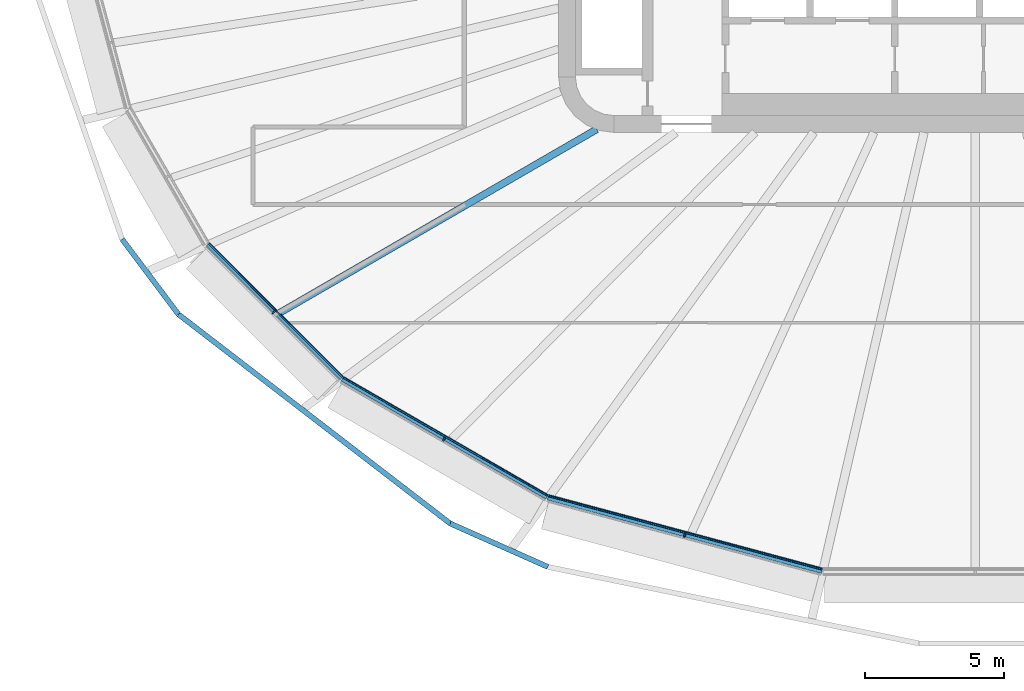
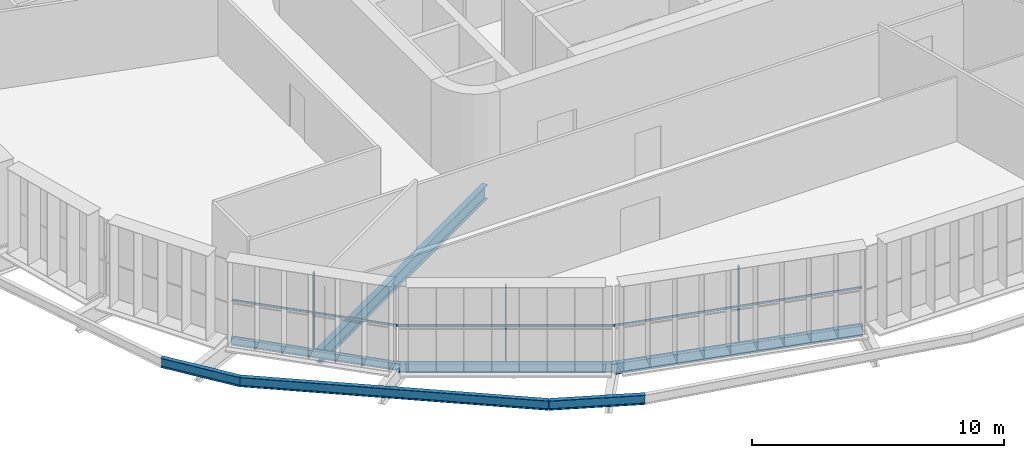
# One storey, part 1 of 24: 7 beams, 6 members, 3 elements without a shape of their own.
"""IFC4 building model written with IfcOpenShell, lengths in metres."""

from ifc_helpers import new_model, si_unit, direction, frame, origin, origin_2d, place, context, subcontext, project, spatial, rectangle, i_section, extrude, material, layer, layer_set, material_profile, profile_set, type_object, element, aggregate, save


model = new_model("IFC4")

# Units and contexts
model_context = context("Model", 3, precision=1e-05, world=origin(), true_north=direction((0.0, 1.0)))
body_context = subcontext(model_context, "Body", "Model", "MODEL_VIEW")
ifc_project = project(units=[si_unit("LENGTHUNIT", "METRE"), si_unit("AREAUNIT", "SQUARE_METRE"), si_unit("VOLUMEUNIT", "CUBIC_METRE"), si_unit("PLANEANGLEUNIT", "RADIAN"), si_unit("MASSUNIT", "GRAM", prefix="KILO")], contexts=[model_context])

# Site, building, storey
site_placement = place(None, origin())
site = spatial("IfcSite", under=ifc_project, at=site_placement, CompositionType="ELEMENT")
building_placement = place(site_placement, origin())
building = spatial("IfcBuilding", under=site, at=building_placement, Name="Sahrelin Media Tower", CompositionType="ELEMENT")
storey_placement = place(building_placement, frame((0.0, 0.0, 118.800048828125)))
storey = spatial("IfcBuildingStorey", under=building, at=storey_placement, Name="L23", CompositionType="ELEMENT", Elevation=118.800048828125)

# Beams
ifc_material_1 = material(Name="Steel S355", Category="steel")
ifc_material_profile_1 = material_profile(ifc_material_1, i_section(OverallWidth=0.17138671875, OverallDepth=0.35498046875, WebThickness=0.00732421875, FlangeThickness=0.011474609375, FilletRadius=0.01025390625, at=origin_2d()), Name="UB 356x171x51")
ifc_profile_set_1 = profile_set([ifc_material_profile_1], Name="Steel S355")
beam_type_1 = type_object("IfcBeamType", Name="Edge beam EB3", PredefinedType="BEAM", material=ifc_profile_set_1)
beam_1_placement = place(storey_placement, frame((-22.80517578125, -16.845458984375, -0.32763671875), z_axis=(-0.707106781187, 0.707106781187, 0.0), x_axis=(-0.707106781187, -0.707106781187, 0.0)))
element("IfcBeam", 1, at=beam_1_placement, inside=storey, type_object=beam_type_1, Name="Edge beam L23-10", PredefinedType="BEAM", context=body_context, shape_type="SweptSolid", body=[
    extrude(i_section(OverallWidth=0.17138671875, OverallDepth=0.35498046875, WebThickness=0.00732421875, FlangeThickness=0.011474609375, FilletRadius=0.01025390625, at=origin_2d()), origin(), (0.0, 0.0, 1.0), 6.819091796875),
])
ifc_material_profile_2 = material_profile(ifc_material_1, i_section(OverallWidth=0.1904296875, OverallDepth=0.45703125, WebThickness=0.009033203125, FlangeThickness=0.014404296875, FilletRadius=0.01025390625, at=origin_2d()), Name="UB 457x191x74")
ifc_profile_set_2 = profile_set([ifc_material_profile_2], Name="Steel S355")
beam_type_2 = type_object("IfcBeamType", Name="Edge beam EB5", PredefinedType="BEAM", material=ifc_profile_set_2)
beam_2_placement = place(storey_placement, frame((-15.40869140625, -21.120361328125, -0.378662109375), z_axis=(-0.866002219952, 0.500040153425, 0.0), x_axis=(-0.500040153425, -0.866002219952, 0.0)))
element("IfcBeam", 2, at=beam_2_placement, inside=storey, type_object=beam_type_2, Name="Edge beam L23-09", PredefinedType="BEAM", context=body_context, shape_type="SweptSolid", body=[
    extrude(i_section(OverallWidth=0.1904296875, OverallDepth=0.45703125, WebThickness=0.009033203125, FlangeThickness=0.014404296875, FilletRadius=0.01025390625, at=origin_2d()), origin(), (0.0, 0.0, 1.0), 8.514404296875),
])
ifc_material_profile_3 = material_profile(ifc_material_1, i_section(OverallWidth=0.208740234375, OverallDepth=0.5283203125, WebThickness=0.009521484375, FlangeThickness=0.01318359375, FilletRadius=0.0126953125, at=origin_2d()), Name="UB 533x210x82")
ifc_profile_set_3 = profile_set([ifc_material_profile_3], Name="Steel S355")
beam_type_3 = type_object("IfcBeamType", Name="Edge beam EB6", PredefinedType="BEAM", material=ifc_profile_set_3)
beam_3_placement = place(storey_placement, frame((-5.5146484375, -23.775146484375, -0.414306640625), z_axis=(-0.965930023505, 0.258803380373, 0.0), x_axis=(-0.258803380373, -0.965930023505, 0.0)))
element("IfcBeam", 3, at=beam_3_placement, inside=storey, type_object=beam_type_3, Name="Edge beam L23-08", PredefinedType="BEAM", context=body_context, shape_type="SweptSolid", body=[
    extrude(i_section(OverallWidth=0.208740234375, OverallDepth=0.5283203125, WebThickness=0.009521484375, FlangeThickness=0.01318359375, FilletRadius=0.0126953125, at=origin_2d()), origin(), (0.0, 0.0, 1.0), 10.215576171875),
])

# Curtain wall, member
ifc_material_2 = material(Name="Champagne anodised aluminium 6063-T6", Category="aluminium")
ifc_layer = layer(ifc_material_2, 0.14990234375)
ifc_layer_set = layer_set([ifc_layer], Name="Tower ribbon curtain wall")
curtain_wall_type = type_object("IfcCurtainWallType", Name="Tower ribbon curtain wall", PredefinedType="NOTDEFINED", material=ifc_layer_set)
curtain_wall_1_placement = place(storey_placement, frame((-25.322021484375, -14.54052734375, 0.0), z_axis=(0.0, 0.0, 1.0), x_axis=(1.0, 0.0, 0.0)))
curtain_wall_1 = element("IfcCurtainWall", 4, at=curtain_wall_1_placement, inside=storey, type_object=curtain_wall_type, Name="L23:CW:L23-15", PredefinedType="NOTDEFINED")
ifc_material_profile_4 = material_profile(ifc_material_2, rectangle(XDim=0.06005859375, YDim=0.14990234375, at=origin_2d()), Name="Mullion 60x150")
ifc_profile_set_4 = profile_set([ifc_material_profile_4], Name="Champagne anodised aluminium 6063-T6")
member_type_1 = type_object("IfcMemberType", Name="Mullion 60x150 CW1", PredefinedType="MULLION", material=ifc_profile_set_4)
member_1_placement = place(storey_placement, frame((-25.2548828125, -14.473388671875, 0.0), z_axis=(0.0, 0.0, 1.0), x_axis=(0.707106781187, -0.707106781187, 0.0)))
member_1 = element("IfcMember", 5, at=member_1_placement, type_object=member_type_1, Name="L23:CWM:L23-15", PredefinedType="MULLION", context=body_context, shape_type="SweptSolid", body=[
    extrude(rectangle(XDim=0.06005859375, YDim=0.14990234375, at=origin_2d()), origin(), (0.0, 0.0, 1.0), 3.6484375),
])

curtain_wall_2_placement = place(storey_placement, frame((-19.17041015625, -19.12158203125, 0.0), z_axis=(0.0, 0.0, 1.0), x_axis=(1.0, 0.0, 0.0)))
curtain_wall_2 = element("IfcCurtainWall", 6, at=curtain_wall_2_placement, inside=storey, type_object=curtain_wall_type, Name="L23:CW:L23-16", PredefinedType="NOTDEFINED")
member_2_placement = place(storey_placement, frame((-19.122802734375, -19.039306640625, 0.0), z_axis=(0.0, 0.0, 1.0), x_axis=(0.866020167749, -0.500009068969, 0.0)))
member_2 = element("IfcMember", 7, at=member_2_placement, type_object=member_type_1, Name="L23:CWM:L23-16", PredefinedType="MULLION", context=body_context, shape_type="SweptSolid", body=[
    extrude(rectangle(XDim=0.06005859375, YDim=0.14990234375, at=origin_2d()), origin(), (0.0, 0.0, 1.0), 3.6484375),
])

curtain_wall_3_placement = place(storey_placement, frame((-10.487060546875, -22.59814453125, 0.0), z_axis=(0.0, 0.0, 1.0), x_axis=(1.0, 0.0, 0.0)))
curtain_wall_3 = element("IfcCurtainWall", 8, at=curtain_wall_3_placement, inside=storey, type_object=curtain_wall_type, Name="L23:CW:L23-17", PredefinedType="NOTDEFINED")
member_3_placement = place(storey_placement, frame((-10.46240234375, -22.50634765625, 0.0), z_axis=(0.0, 0.0, 1.0), x_axis=(0.965925826289, -0.258819045103, 0.0)))
member_3 = element("IfcMember", 9, at=member_3_placement, type_object=member_type_1, Name="L23:CWM:L23-17", PredefinedType="MULLION", context=body_context, shape_type="SweptSolid", body=[
    extrude(rectangle(XDim=0.06005859375, YDim=0.14990234375, at=origin_2d()), origin(), (0.0, 0.0, 1.0), 3.6484375),
])

# Beams
ifc_material_profile_5 = material_profile(ifc_material_1, i_section(OverallWidth=0.2529296875, OverallDepth=0.677978515625, WebThickness=0.01171875, FlangeThickness=0.01611328125, FilletRadius=0.01513671875, at=origin_2d()), Name="UB 686x254x125")
ifc_profile_set_5 = profile_set([ifc_material_profile_5], Name="Steel S355")
beam_type_4 = type_object("IfcBeamType", Name="Radial secondary beam SB8", PredefinedType="BEAM", material=ifc_profile_set_5)
beam_4_placement = place(storey_placement, frame((-13.625732421875, -7.88720703125, -0.489013671875), z_axis=(-0.865466427639, -0.50096692768, 0.0), x_axis=(0.50096692768, -0.865466427639, 0.0)))
element("IfcBeam", 10, at=beam_4_placement, inside=storey, type_object=beam_type_4, Name="Secondary beam L23-15", PredefinedType="BEAM", context=body_context, shape_type="SweptSolid", body=[
    extrude(i_section(OverallWidth=0.2529296875, OverallDepth=0.677978515625, WebThickness=0.01171875, FlangeThickness=0.01611328125, FilletRadius=0.01513671875, at=origin_2d()), origin(), (0.0, 0.0, 1.0), 13.18505859375),
])
ifc_material_profile_6 = material_profile(ifc_material_1, i_section(OverallWidth=0.1904296875, OverallDepth=0.45703125, WebThickness=0.009033203125, FlangeThickness=0.014404296875, FilletRadius=0.01025390625, at=origin_2d()), Name="UB 457x191x74")
ifc_profile_set_6 = profile_set([ifc_material_profile_6], Name="Steel S355")
beam_type_5 = type_object("IfcBeamType", Name="Tie chord TC5", PredefinedType="BEAM", material=ifc_profile_set_6)
beam_5_placement = place(storey_placement, frame((-30.71337890625, -11.84619140625, -0.378662109375), z_axis=(0.600069344871, -0.79994798665, 0.0), x_axis=(0.79994798665, 0.600069344871, 0.0)))
element("IfcBeam", 11, at=beam_5_placement, inside=storey, type_object=beam_type_5, Name="Tie chord L23-14", PredefinedType="BEAM", context=body_context, shape_type="SweptSolid", body=[
    extrude(i_section(OverallWidth=0.1904296875, OverallDepth=0.45703125, WebThickness=0.009033203125, FlangeThickness=0.014404296875, FilletRadius=0.01025390625, at=origin_2d()), origin(), (0.0, 0.0, 1.0), 3.379638671875),
])
beam_6_placement = place(storey_placement, frame((-28.685302734375, -14.5498046875, -0.378662109375), z_axis=(0.792440143833, -0.609949685173, 0.0), x_axis=(0.609949685173, 0.792440143833, 0.0)))
element("IfcBeam", 12, at=beam_6_placement, inside=storey, type_object=beam_type_5, Name="Tie chord L23-15", PredefinedType="BEAM", context=body_context, shape_type="SweptSolid", body=[
    extrude(i_section(OverallWidth=0.1904296875, OverallDepth=0.45703125, WebThickness=0.009033203125, FlangeThickness=0.014404296875, FilletRadius=0.01025390625, at=origin_2d()), origin(), (0.0, 0.0, 1.0), 12.34423828125),
])
beam_7_placement = place(storey_placement, frame((-18.9033203125, -22.0791015625, -0.378662109375), z_axis=(0.913827262531, -0.406103107911, 0.0), x_axis=(0.406103107911, 0.913827262531, 0.0)))
element("IfcBeam", 13, at=beam_7_placement, inside=storey, type_object=beam_type_5, Name="Tie chord L23-16", PredefinedType="BEAM", context=body_context, shape_type="SweptSolid", body=[
    extrude(i_section(OverallWidth=0.1904296875, OverallDepth=0.45703125, WebThickness=0.009033203125, FlangeThickness=0.014404296875, FilletRadius=0.01025390625, at=origin_2d()), origin(), (0.0, 0.0, 1.0), 3.843994140625),
])

# Member
ifc_material_profile_7 = material_profile(ifc_material_2, rectangle(XDim=0.050048828125, YDim=0.10009765625, at=origin_2d()), Name="Transom 50x100")
ifc_profile_set_7 = profile_set([ifc_material_profile_7], Name="Champagne anodised aluminium 6063-T6")
member_type_2 = type_object("IfcMemberType", Name="Transom 50x100 CW1", PredefinedType="USERDEFINED", material=ifc_profile_set_7)
member_4_placement = place(storey_placement, frame((-27.583984375, -12.0029296875, 1.599853515625), z_axis=(0.707106781187, -0.707106781187, 0.0), x_axis=(0.707106781187, 0.707106781187, 0.0)))
member_4 = element("IfcMember", 14, at=member_4_placement, type_object=member_type_2, Name="L23:CWT:L23-15", ObjectType="TRANSOM", PredefinedType="USERDEFINED", context=body_context, shape_type="SweptSolid", body=[
    extrude(rectangle(XDim=0.050048828125, YDim=0.10009765625, at=origin_2d()), origin(), (0.0, 0.0, 1.0), 6.78759765625),
])

aggregate(curtain_wall_1, [member_1, member_4])

member_5_placement = place(storey_placement, frame((-22.74609375, -16.831787109375, 1.599853515625), z_axis=(0.866013526608, -0.50002057131, 0.0), x_axis=(0.50002057131, 0.866013526608, 0.0)))
member_5 = element("IfcMember", 15, at=member_5_placement, type_object=member_type_2, Name="L23:CWT:L23-16", ObjectType="TRANSOM", PredefinedType="USERDEFINED", context=body_context, shape_type="SweptSolid", body=[
    extrude(rectangle(XDim=0.050048828125, YDim=0.10009765625, at=origin_2d()), origin(), (0.0, 0.0, 1.0), 8.483154296875),
])

aggregate(curtain_wall_2, [member_2, member_5])

member_6_placement = place(storey_placement, frame((-15.35498046875, -21.091796875, 1.599853515625), z_axis=(0.965921084631, -0.258836740563, 0.0), x_axis=(0.258836740563, 0.965921084631, 0.0)))
member_6 = element("IfcMember", 16, at=member_6_placement, type_object=member_type_2, Name="L23:CWT:L23-17", ObjectType="TRANSOM", PredefinedType="USERDEFINED", context=body_context, shape_type="SweptSolid", body=[
    extrude(rectangle(XDim=0.050048828125, YDim=0.10009765625, at=origin_2d()), origin(), (0.0, 0.0, 1.0), 10.18408203125),
])

aggregate(curtain_wall_3, [member_3, member_6])

save(model, "model.ifc")
